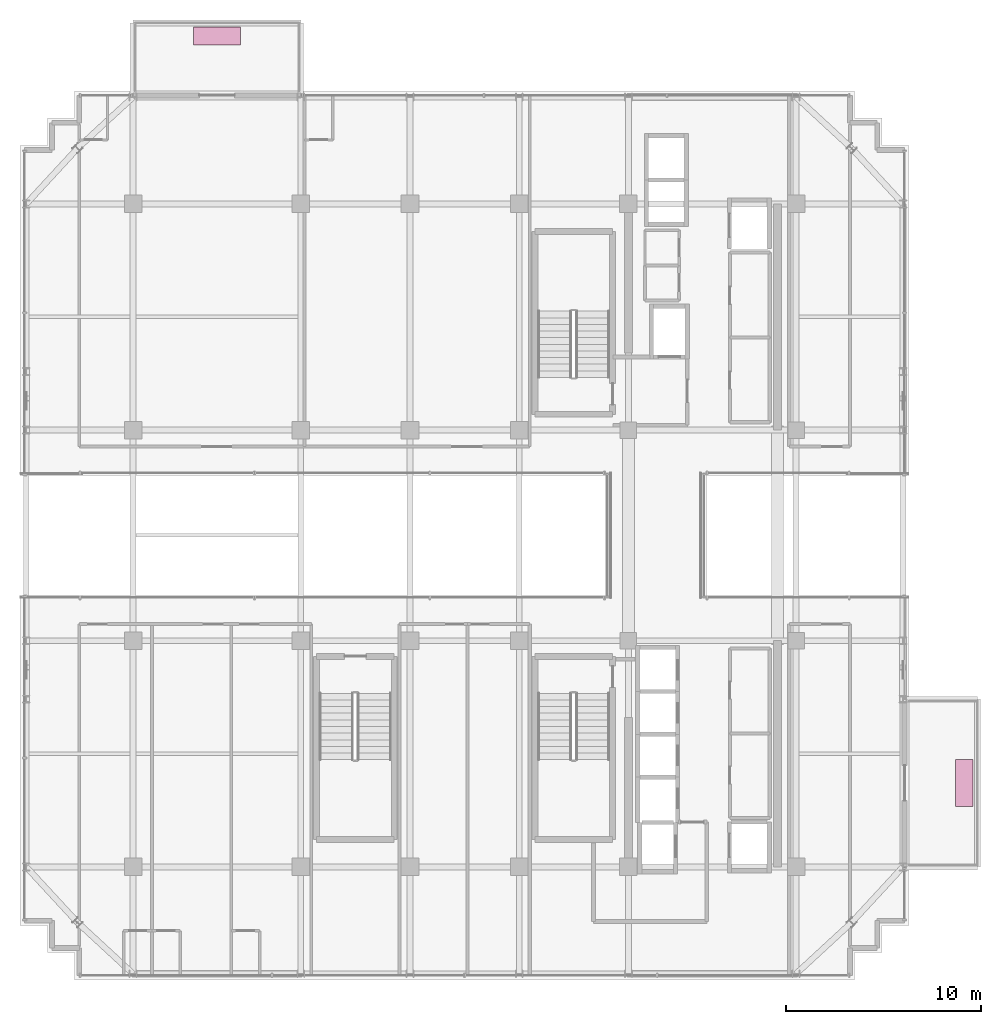
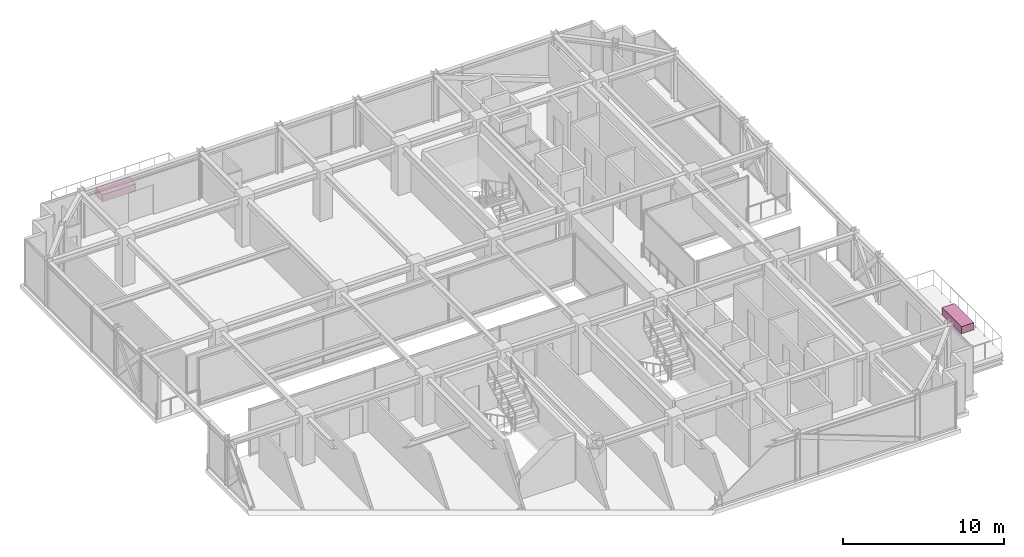
# One storey, part 39 of 39: 2 furnishings.
"""IFC4 building model written with IfcOpenShell, lengths in metres."""

from ifc_helpers import new_model, si_unit, direction, frame, origin, origin_2d, place, context, subcontext, project, spatial, rectangle, extrude, source, transform, mapped, material, type_object, element, save


model = new_model("IFC4")

# Units and contexts
model_context = context("Model", 3, precision=1e-05, world=origin(), true_north=direction((0.0, 1.0)))
body_context = subcontext(model_context, "Body", "Model", "MODEL_VIEW")
ifc_project = project(units=[si_unit("LENGTHUNIT", "METRE"), si_unit("AREAUNIT", "SQUARE_METRE"), si_unit("VOLUMEUNIT", "CUBIC_METRE"), si_unit("PLANEANGLEUNIT", "RADIAN"), si_unit("MASSUNIT", "GRAM", prefix="KILO")], contexts=[model_context])

# Site, building, storey
site_placement = place(None, origin())
site = spatial("IfcSite", under=ifc_project, at=site_placement, CompositionType="ELEMENT")
building_placement = place(site_placement, origin())
building = spatial("IfcBuilding", under=site, at=building_placement, Name="Nahalor Promenade Grand Hotel", CompositionType="ELEMENT")
storey_placement = place(building_placement, frame((0.0, 0.0, 311.89990234375)))
storey = spatial("IfcBuildingStorey", under=building, at=storey_placement, Name="L80", CompositionType="ELEMENT", Elevation=311.89990234375)

# Furnishings
ifc_material = material(Name="Vegetated Volcanic-Lapilli Tree Planter", Category="earth")
furnishing_element_type = type_object("IfcFurnishingElementType", Name="Planter-VerticalForest-Box", material=ifc_material)
shared_shape = source(origin(), body_context, "Body", "SweptSolid", [
    extrude(rectangle(XDim=2.39990234375, YDim=0.89990234375, at=origin_2d()), origin(), (0.0, 0.0, 1.0), 0.550048828125),
])
for number, where, z_axis, x_axis, name in (
    (1, (-12.699951171875, 25.610107421875, 0.0), (0.0, 0.0, 1.0), (1.0, 0.0, 0.0), "L80 Balcony Structural Tree Planter 1"),
    (2, (25.6298828125, -12.699951171875, 0.0), (0.0, 0.0, 1.0), (0.0, 1.0, 0.0), "L80 Balcony Structural Tree Planter 2"),
):
    element("IfcFurnishingElement", number, at=place(storey_placement, frame(where, z_axis=z_axis, x_axis=x_axis)), inside=storey, type_object=furnishing_element_type, Name=name, ObjectType="PLANTER", context=body_context, shape_type="MappedRepresentation", body=[
        mapped(shared_shape, transform((0.0, 0.0, 0.0), scale=1.0)),
    ])

save(model, "model.ifc")
